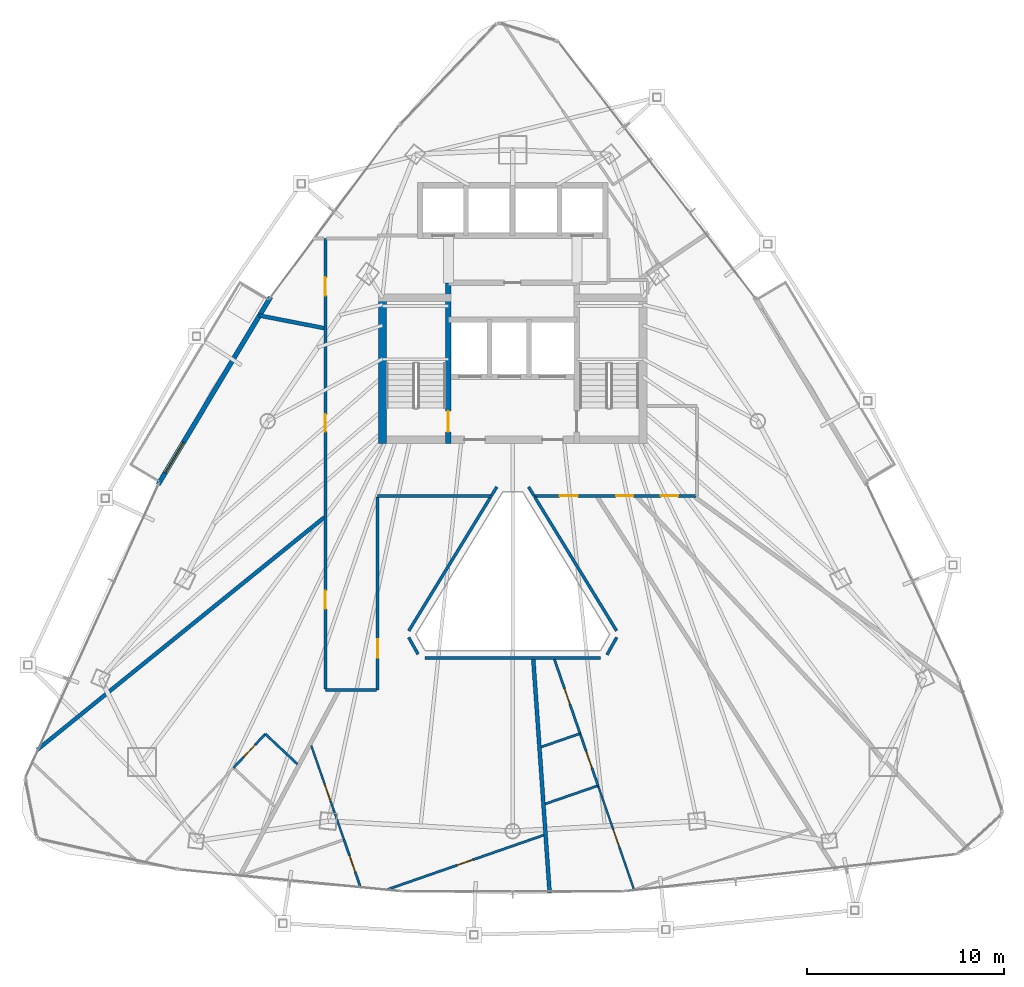
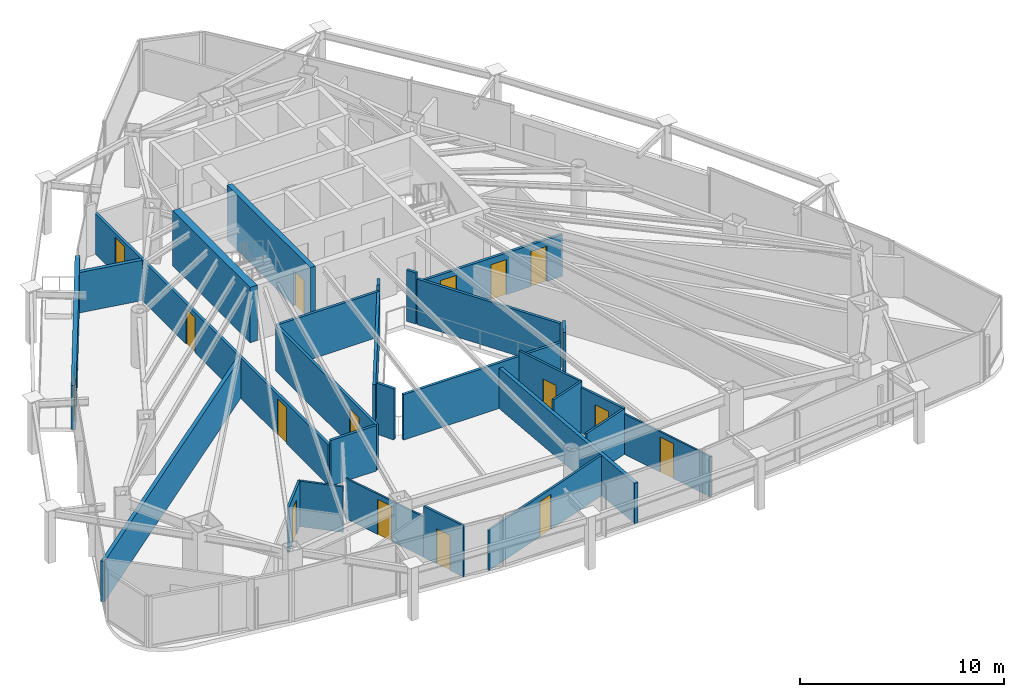
# One storey, part 24 of 29: 28 walls, 16 doors, 16 openings.
"""IFC4 building model written with IfcOpenShell, lengths in metres."""

from ifc_helpers import new_model, si_unit, direction, frame, frame_2d, origin, place, context, subcontext, project, spatial, rectangle, extrude, material, layer, layer_set, type_object, element, fill, save


model = new_model("IFC4")

# Units and contexts
model_context = context("Model", 3, precision=1e-05, world=origin(), true_north=direction((0.0, 1.0)))
body_context = subcontext(model_context, "Body", "Model", "MODEL_VIEW")
ifc_project = project(units=[si_unit("LENGTHUNIT", "METRE"), si_unit("AREAUNIT", "SQUARE_METRE"), si_unit("VOLUMEUNIT", "CUBIC_METRE"), si_unit("PLANEANGLEUNIT", "RADIAN"), si_unit("MASSUNIT", "GRAM", prefix="KILO")], contexts=[model_context])

# Site, building, storey
site_placement = place(None, origin())
site = spatial("IfcSite", under=ifc_project, at=site_placement, CompositionType="ELEMENT")
building_placement = place(site_placement, origin())
building = spatial("IfcBuilding", under=site, at=building_placement, Name="Orvanel Arch Residences", CompositionType="ELEMENT")
storey_placement = place(building_placement, frame((0.0, 0.0, 167.14990234375)))
storey = spatial("IfcBuildingStorey", under=building, at=storey_placement, Name="L47", CompositionType="ELEMENT", Elevation=167.14990234375)

# Wall, opening, door
ifc_material_1 = material(Name="Precast concrete N50 (50 MPa)", Category="concrete")
ifc_layer_1 = layer(ifc_material_1, 0.239990234375)
ifc_layer_set_1 = layer_set([ifc_layer_1], Name="Precast concrete N50 (50 MPa)")
wall_type_1 = type_object("IfcWallType", Name="EW-BAL-240", PredefinedType="SOLIDWALL", material=ifc_layer_set_1)
wall_1_placement = place(storey_placement, frame((20.721923828125, 33.93994140625, 0.0), z_axis=(0.0, 0.0, 1.0), x_axis=(-0.514334017412, -0.85758994778, 0.0)))
wall_1 = element("IfcWall", 1, at=wall_1_placement, inside=storey, type_object=wall_type_1, Name="L47 Balcony Threshold Wall Face 1", PredefinedType="SOLIDWALL", context=body_context, shape_type="SweptSolid", body=[
    extrude(rectangle(XDim=11.099853515625, YDim=0.239990234375, at=frame_2d((5.5498046875, 0.0))), origin(), (0.0, 0.0, 1.0), 2.6240234375),
])
opening_1_placement = place(wall_1_placement, frame((8.60205078125, 0.0, 0.0)))
opening_1 = element("IfcOpeningElement", 2, at=opening_1_placement, cuts=wall_1, Name="Opening DB-180", PredefinedType="OPENING", context=body_context, shape_type="SweptSolid", body=[
    extrude(rectangle(XDim=1.800048828125, YDim=2.199951171875, at=frame_2d((0.89990234375, 1.10009765625))), frame((0.0, 0.1298828125, 0.0), z_axis=(0.0, -1.0, 0.0), x_axis=(1.0, 0.0, 0.0)), (0.0, 0.0, 1.0), 0.260009765625),
])
ifc_material_2 = material(Name="Bronze-anodised aluminium AA6063-T6", Category="aluminium")
door_type_1 = type_object("IfcDoorType", Name="DR-BAL-1800", OperationType="NOTDEFINED", PredefinedType="DOOR", material=ifc_material_2)
door_1_placement = place(opening_1_placement, origin())
door_1 = element("IfcDoor", 3, at=door_1_placement, inside=storey, type_object=door_type_1, Name="DR-L47-BAL-F1 L47 Planted Balcony Access Door Face 1", OperationType="SINGLE_SWING_LEFT", OverallHeight=2.199951171875, OverallWidth=1.800048828125, PredefinedType="DOOR", context=body_context, shape_type="SweptSolid", body=[
    extrude(rectangle(XDim=1.800048828125, YDim=2.199951171875, at=frame_2d((0.89990234375, 1.10009765625))), frame((0.0, 0.02490234375, 0.0), z_axis=(0.0, -1.0, 0.0), x_axis=(1.0, 0.0, 0.0)), (0.0, 0.0, 1.0), 0.050048828125),
])
fill(opening_1, door_1)

ifc_material_3 = material(Name="Concrete S65 (65 MPa)", Category="concrete")
ifc_layer_2 = layer(ifc_material_3, 0.280029296875)
ifc_layer_set_2 = layer_set([ifc_layer_2], Name="Concrete S65 (65 MPa)")
wall_type_2 = type_object("IfcWallType", Name="SW-CORE-280", PredefinedType="SHEAR", material=ifc_layer_set_2)
wall_2_placement = place(storey_placement, frame((29.739990234375, 26.5, 0.0), z_axis=(0.0, 0.0, 1.0), x_axis=(0.0, 1.0, 0.0)))
wall_2 = element("IfcWall", 4, at=wall_2_placement, inside=storey, type_object=wall_type_2, Name="L47 West Inner Core Spine Shear Wall", PredefinedType="SHEAR", context=body_context, shape_type="SweptSolid", body=[
    extrude(rectangle(XDim=8.14990234375, YDim=0.280029296875, at=frame_2d((4.074951171875, 0.0))), origin(), (0.0, 0.0, 1.0), 3.300048828125),
])
opening_2_placement = place(wall_2_placement, frame((0.60009765625, 0.0, 0.0)))
opening_2 = element("IfcOpeningElement", 5, at=opening_2_placement, cuts=wall_2, Name="Opening DF-120", PredefinedType="OPENING", context=body_context, shape_type="SweptSolid", body=[
    extrude(rectangle(XDim=1.050048828125, YDim=2.14990234375, at=frame_2d((0.52490234375, 1.074951171875))), frame((0.0, 0.14990234375, 0.0), z_axis=(0.0, -1.0, 0.0), x_axis=(1.0, 0.0, 0.0)), (0.0, 0.0, 1.0), 0.300048828125),
])
ifc_material_4 = material(Name="Galvanised steel fire-resisting door assembly", Category="steel")
door_type_2 = type_object("IfcDoorType", Name="DR-FD120-1050", OperationType="NOTDEFINED", PredefinedType="DOOR", material=ifc_material_4)
door_2_placement = place(opening_2_placement, origin())
door_2 = element("IfcDoor", 6, at=door_2_placement, inside=storey, type_object=door_type_2, Name="DR-L47-ST1 L47 Stair 1 Fire Door", OperationType="SINGLE_SWING_LEFT", OverallHeight=2.14990234375, OverallWidth=1.050048828125, PredefinedType="DOOR", context=body_context, shape_type="SweptSolid", body=[
    extrude(rectangle(XDim=1.050048828125, YDim=2.14990234375, at=frame_2d((0.52490234375, 1.074951171875))), frame((0.0, 0.02490234375, 0.0), z_axis=(0.0, -1.0, 0.0), x_axis=(1.0, 0.0, 0.0)), (0.0, 0.0, 1.0), 0.050048828125),
])
fill(opening_2, door_2)

# Walls
ifc_layer_3 = layer(ifc_material_3, 0.39990234375)
ifc_layer_set_3 = layer_set([ifc_layer_3], Name="Concrete S65 (65 MPa)")
wall_type_3 = type_object("IfcWallType", Name="SW-CORE-400", PredefinedType="SHEAR", material=ifc_layer_set_3)
wall_3_placement = place(storey_placement, frame((26.39990234375, 26.5, 0.0), z_axis=(0.0, 0.0, 1.0), x_axis=(0.0, 1.0, 0.0)))
element("IfcWall", 7, at=wall_3_placement, inside=storey, type_object=wall_type_3, Name="L47 West Stair Shear Wall", PredefinedType="SHEAR", context=body_context, shape_type="SweptSolid", body=[
    extrude(rectangle(XDim=7.60009765625, YDim=0.39990234375, at=frame_2d((3.800048828125, 0.0))), origin(), (0.0, 0.0, 1.0), 3.300048828125),
])
ifc_material_5 = material(Name="Fire-rated plasterboard lined steel stud partition", Category="steel")
ifc_layer_4 = layer(ifc_material_5, 0.14990234375)
ifc_layer_set_4 = layer_set([ifc_layer_4], Name="Fire-rated plasterboard lined steel stud partition")
wall_type_4 = type_object("IfcWallType", Name="W-COR-150", PredefinedType="PARTITIONING", material=ifc_layer_set_4)
wall_4_placement = place(storey_placement, frame((32.197021484375, 24.305908203125, 0.0), z_axis=(0.0, 0.0, 1.0), x_axis=(-0.530039765459, -0.847972786728, 0.0)))
element("IfcWall", 8, at=wall_4_placement, inside=storey, type_object=wall_type_4, Name="L47 Corridor Fire-Rated Partition", PredefinedType="PARTITIONING", context=body_context, shape_type="SweptSolid", body=[
    extrude(rectangle(XDim=0.53759765625, YDim=0.14990234375, at=frame_2d((0.268798828125, 0.0))), origin(), (0.0, 0.0, 1.0), 3.06005859375),
])
wall_5_placement = place(storey_placement, frame((31.912109375, 23.85009765625, 0.0), z_axis=(0.0, 0.0, 1.0), x_axis=(-1.0, 0.0, 0.0)))
element("IfcWall", 9, at=wall_5_placement, inside=storey, type_object=wall_type_4, Name="L47 Corridor Fire-Rated Partition", PredefinedType="PARTITIONING", context=body_context, shape_type="SweptSolid", body=[
    extrude(rectangle(XDim=5.76220703125, YDim=0.14990234375, at=frame_2d((2.881103515625, 0.0))), origin(), (0.0, 0.0, 1.0), 2.72119140625),
])

# Wall, opening, door
wall_6_placement = place(storey_placement, frame((26.14990234375, 23.7900390625, 0.0), z_axis=(0.0, 0.0, 1.0), x_axis=(0.0, -1.0, 0.0)))
wall_6 = element("IfcWall", 10, at=wall_6_placement, inside=storey, type_object=wall_type_4, Name="L47 Corridor Fire-Rated Partition", PredefinedType="PARTITIONING", context=body_context, shape_type="SweptSolid", body=[
    extrude(rectangle(XDim=9.7900390625, YDim=0.14990234375, at=frame_2d((4.89501953125, 0.0))), origin(), (0.0, 0.0, 1.0), 2.72119140625),
])
opening_3_placement = place(wall_6_placement, frame((7.220947265625, 0.0, 0.0)))
opening_3 = element("IfcOpeningElement", 11, at=opening_3_placement, cuts=wall_6, Name="Opening DA-092", PredefinedType="OPENING", context=body_context, shape_type="SweptSolid", body=[
    extrude(rectangle(XDim=0.919921875, YDim=2.14990234375, at=frame_2d((0.4599609375, 1.074951171875))), frame((0.0, 0.0849609375, 0.0), z_axis=(0.0, -1.0, 0.0), x_axis=(1.0, 0.0, 0.0)), (0.0, 0.0, 1.0), 0.169921875),
])
ifc_material_6 = material(Name="Solid-core European oak veneer fire door leaf", Category="wood")
door_type_3 = type_object("IfcDoorType", Name="DR-APT-920", OperationType="NOTDEFINED", PredefinedType="DOOR", material=ifc_material_6)
door_3_placement = place(opening_3_placement, origin())
door_3 = element("IfcDoor", 12, at=door_3_placement, inside=storey, type_object=door_type_3, Name="DR-L47-B-ENT L47 Studio B Entrance Door", OperationType="SINGLE_SWING_LEFT", OverallHeight=2.14990234375, OverallWidth=0.919921875, PredefinedType="DOOR", context=body_context, shape_type="SweptSolid", body=[
    extrude(rectangle(XDim=0.919921875, YDim=2.14990234375, at=frame_2d((0.4599609375, 1.074951171875))), frame((0.0, 0.02490234375, 0.0), z_axis=(0.0, -1.0, 0.0), x_axis=(1.0, 0.0, 0.0)), (0.0, 0.0, 1.0), 0.050048828125),
])
fill(opening_3, door_3)

# Wall
wall_7_placement = place(storey_placement, frame((26.090087890625, 14.0, 0.0), z_axis=(0.0, 0.0, 1.0), x_axis=(-1.0, 0.0, 0.0)))
element("IfcWall", 13, at=wall_7_placement, inside=storey, type_object=wall_type_4, Name="L47 Corridor Fire-Rated Partition", PredefinedType="PARTITIONING", context=body_context, shape_type="SweptSolid", body=[
    extrude(rectangle(XDim=2.590087890625, YDim=0.14990234375, at=frame_2d((1.294921875, 0.0))), origin(), (0.0, 0.0, 1.0), 2.72119140625),
])

# Wall, openings, doors
wall_8_placement = place(storey_placement, frame((23.5, 14.06005859375, 0.0), z_axis=(0.0, 0.0, 1.0), x_axis=(0.0, 1.0, 0.0)))
wall_8 = element("IfcWall", 14, at=wall_8_placement, inside=storey, type_object=wall_type_4, Name="L47 Corridor Fire-Rated Partition", PredefinedType="PARTITIONING", context=body_context, shape_type="SweptSolid", body=[
    extrude(rectangle(XDim=22.83984375, YDim=0.14990234375, at=frame_2d((11.419921875, 0.0))), origin(), (0.0, 0.0, 1.0), 2.4130859375),
])
opening_4_placement = place(wall_8_placement, frame((4.06396484375, 0.0, 0.0)))
opening_4 = element("IfcOpeningElement", 15, at=opening_4_placement, cuts=wall_8, Name="Opening DA-092", PredefinedType="OPENING", context=body_context, shape_type="SweptSolid", body=[
    extrude(rectangle(XDim=0.919921875, YDim=2.14990234375, at=frame_2d((0.4599609375, 1.074951171875))), frame((0.0, 0.0849609375, 0.0), z_axis=(0.0, -1.0, 0.0), x_axis=(1.0, 0.0, 0.0)), (0.0, 0.0, 1.0), 0.169921875),
])
opening_5_placement = place(wall_8_placement, frame((13.047119140625, 0.0, 0.0)))
opening_5 = element("IfcOpeningElement", 16, at=opening_5_placement, cuts=wall_8, Name="Opening DI-088", PredefinedType="OPENING", context=body_context, shape_type="SweptSolid", body=[
    extrude(rectangle(XDim=0.8798828125, YDim=2.10009765625, at=frame_2d((0.43994140625, 1.050048828125))), frame((0.0, 0.0849609375, 0.0), z_axis=(0.0, -1.0, 0.0), x_axis=(1.0, 0.0, 0.0)), (0.0, 0.0, 1.0), 0.169921875),
])
opening_6_placement = place(wall_8_placement, frame((19.952880859375, 0.0, 0.0)))
opening_6 = element("IfcOpeningElement", 17, at=opening_6_placement, cuts=wall_8, Name="Opening DA-092", PredefinedType="OPENING", context=body_context, shape_type="SweptSolid", body=[
    extrude(rectangle(XDim=0.919921875, YDim=2.14990234375, at=frame_2d((0.4599609375, 1.074951171875))), frame((0.0, 0.0849609375, 0.0), z_axis=(0.0, -1.0, 0.0), x_axis=(1.0, 0.0, 0.0)), (0.0, 0.0, 1.0), 0.169921875),
])
door_4_placement = place(opening_4_placement, origin())
door_4 = element("IfcDoor", 18, at=door_4_placement, inside=storey, type_object=door_type_3, Name="DR-L47-C-ENT L47 Flat C Entrance Door", OperationType="SINGLE_SWING_RIGHT", OverallHeight=2.14990234375, OverallWidth=0.919921875, PredefinedType="DOOR", context=body_context, shape_type="SweptSolid", body=[
    extrude(rectangle(XDim=0.919921875, YDim=2.14990234375, at=frame_2d((0.4599609375, 1.074951171875))), frame((0.0, 0.02490234375, 0.0), z_axis=(0.0, -1.0, 0.0), x_axis=(1.0, 0.0, 0.0)), (0.0, 0.0, 1.0), 0.050048828125),
])
fill(opening_4, door_4)
door_5_placement = place(opening_6_placement, origin())
door_5 = element("IfcDoor", 19, at=door_5_placement, inside=storey, type_object=door_type_3, Name="DR-L47-F-ENT L47 Studio F Entrance Door", OperationType="SINGLE_SWING_LEFT", OverallHeight=2.14990234375, OverallWidth=0.919921875, PredefinedType="DOOR", context=body_context, shape_type="SweptSolid", body=[
    extrude(rectangle(XDim=0.919921875, YDim=2.14990234375, at=frame_2d((0.4599609375, 1.074951171875))), frame((0.0, 0.02490234375, 0.0), z_axis=(0.0, -1.0, 0.0), x_axis=(1.0, 0.0, 0.0)), (0.0, 0.0, 1.0), 0.050048828125),
])
fill(opening_6, door_5)
door_type_4 = type_object("IfcDoorType", Name="DR-INT-880", OperationType="NOTDEFINED", PredefinedType="DOOR", material=ifc_material_6)
door_6_placement = place(opening_5_placement, origin())
door_6 = element("IfcDoor", 20, at=door_6_placement, inside=storey, type_object=door_type_4, Name="DR-L47-SHRD-FB5 L47 Co-Working Study Office E Door", OperationType="SINGLE_SWING_LEFT", OverallHeight=2.10009765625, OverallWidth=0.8798828125, PredefinedType="DOOR", context=body_context, shape_type="SweptSolid", body=[
    extrude(rectangle(XDim=0.8798828125, YDim=2.10009765625, at=frame_2d((0.43994140625, 1.050048828125))), frame((0.0, 0.02490234375, 0.0), z_axis=(0.0, -1.0, 0.0), x_axis=(1.0, 0.0, 0.0)), (0.0, 0.0, 1.0), 0.050048828125),
])
fill(opening_5, door_6)

wall_9_placement = place(storey_placement, frame((42.2900390625, 23.85009765625, 0.0), z_axis=(0.0, 0.0, 1.0), x_axis=(-1.0, 0.0, 0.0)))
wall_9 = element("IfcWall", 21, at=wall_9_placement, inside=storey, type_object=wall_type_4, Name="L47 Corridor Fire-Rated Partition", PredefinedType="PARTITIONING", context=body_context, shape_type="SweptSolid", body=[
    extrude(rectangle(XDim=8.2021484375, YDim=0.14990234375, at=frame_2d((4.10107421875, 0.0))), origin(), (0.0, 0.0, 1.0), 2.4921875),
])
opening_7_placement = place(wall_9_placement, frame((5.987060546875, 0.0, 0.0)))
opening_7 = element("IfcOpeningElement", 22, at=opening_7_placement, cuts=wall_9, Name="Opening DA-092", PredefinedType="OPENING", context=body_context, shape_type="SweptSolid", body=[
    extrude(rectangle(XDim=0.919921875, YDim=2.14990234375, at=frame_2d((0.4599609375, 1.074951171875))), frame((0.0, 0.0849609375, 0.0), z_axis=(0.0, -1.0, 0.0), x_axis=(1.0, 0.0, 0.0)), (0.0, 0.0, 1.0), 0.169921875),
])
opening_8_placement = place(wall_9_placement, frame((0.89404296875, 0.0, 0.0)))
opening_8 = element("IfcOpeningElement", 23, at=opening_8_placement, cuts=wall_9, Name="Opening DI-088", PredefinedType="OPENING", context=body_context, shape_type="SweptSolid", body=[
    extrude(rectangle(XDim=0.8798828125, YDim=2.10009765625, at=frame_2d((0.43994140625, 1.050048828125))), frame((0.0, 0.0849609375, 0.0), z_axis=(0.0, -1.0, 0.0), x_axis=(1.0, 0.0, 0.0)), (0.0, 0.0, 1.0), 0.169921875),
])
opening_9_placement = place(wall_9_placement, frame((3.1689453125, 0.0, 0.0)))
opening_9 = element("IfcOpeningElement", 24, at=opening_9_placement, cuts=wall_9, Name="Opening DI-088", PredefinedType="OPENING", context=body_context, shape_type="SweptSolid", body=[
    extrude(rectangle(XDim=0.8798828125, YDim=2.10009765625, at=frame_2d((0.43994140625, 1.050048828125))), frame((0.0, 0.0849609375, 0.0), z_axis=(0.0, -1.0, 0.0), x_axis=(1.0, 0.0, 0.0)), (0.0, 0.0, 1.0), 0.169921875),
])
door_7_placement = place(opening_7_placement, origin())
door_7 = element("IfcDoor", 25, at=door_7_placement, inside=storey, type_object=door_type_3, Name="DR-L47-A-ENT L47 Flat A Entrance Door", OperationType="SINGLE_SWING_RIGHT", OverallHeight=2.14990234375, OverallWidth=0.919921875, PredefinedType="DOOR", context=body_context, shape_type="SweptSolid", body=[
    extrude(rectangle(XDim=0.919921875, YDim=2.14990234375, at=frame_2d((0.4599609375, 1.074951171875))), frame((0.0, 0.02490234375, 0.0), z_axis=(0.0, -1.0, 0.0), x_axis=(1.0, 0.0, 0.0)), (0.0, 0.0, 1.0), 0.050048828125),
])
fill(opening_7, door_7)
door_8_placement = place(opening_8_placement, origin())
door_8 = element("IfcDoor", 26, at=door_8_placement, inside=storey, type_object=door_type_4, Name="DR-L47-SHRD-FB7 L47 Co-Working Study Office G Door", OperationType="SINGLE_SWING_LEFT", OverallHeight=2.10009765625, OverallWidth=0.8798828125, PredefinedType="DOOR", context=body_context, shape_type="SweptSolid", body=[
    extrude(rectangle(XDim=0.8798828125, YDim=2.10009765625, at=frame_2d((0.43994140625, 1.050048828125))), frame((0.0, 0.02490234375, 0.0), z_axis=(0.0, -1.0, 0.0), x_axis=(1.0, 0.0, 0.0)), (0.0, 0.0, 1.0), 0.050048828125),
])
fill(opening_8, door_8)
door_9_placement = place(opening_9_placement, origin())
door_9 = element("IfcDoor", 27, at=door_9_placement, inside=storey, type_object=door_type_4, Name="DR-L47-SHRD-FB8 L47 Co-Working Study Office H Door", OperationType="SINGLE_SWING_LEFT", OverallHeight=2.10009765625, OverallWidth=0.8798828125, PredefinedType="DOOR", context=body_context, shape_type="SweptSolid", body=[
    extrude(rectangle(XDim=0.8798828125, YDim=2.10009765625, at=frame_2d((0.43994140625, 1.050048828125))), frame((0.0, 0.02490234375, 0.0), z_axis=(0.0, -1.0, 0.0), x_axis=(1.0, 0.0, 0.0)), (0.0, 0.0, 1.0), 0.050048828125),
])
fill(opening_9, door_9)

# Walls
wall_10_placement = place(storey_placement, frame((34.087890625, 23.85009765625, 0.0), z_axis=(0.0, 0.0, 1.0), x_axis=(-0.530039765459, 0.847972786728, 0.0)))
element("IfcWall", 28, at=wall_10_placement, inside=storey, type_object=wall_type_4, Name="L47 Corridor Fire-Rated Partition", PredefinedType="PARTITIONING", context=body_context, shape_type="SweptSolid", body=[
    extrude(rectangle(XDim=0.53759765625, YDim=0.14990234375, at=frame_2d((0.268798828125, 0.0))), origin(), (0.0, 0.0, 1.0), 3.06005859375),
])
wall_11_placement = place(storey_placement, frame((34.118896484375, 23.7900390625, 0.0), z_axis=(0.0, 0.0, 1.0), x_axis=(0.521942869651, -0.852980445744, 0.0)))
element("IfcWall", 29, at=wall_11_placement, inside=storey, type_object=wall_type_4, Name="L47 Atrium Overlook Glazed Partition", PredefinedType="PARTITIONING", context=body_context, shape_type="SweptSolid", body=[
    extrude(rectangle(XDim=7.953125, YDim=0.14990234375, at=frame_2d((3.9765625, 0.0))), origin(), (0.0, 0.0, 1.0), 2.72119140625),
])
wall_12_placement = place(storey_placement, frame((38.27587890625, 16.669921875, 0.0), z_axis=(0.0, 0.0, 1.0), x_axis=(-0.489067077696, -0.872246177127, 0.0)))
element("IfcWall", 30, at=wall_12_placement, inside=storey, type_object=wall_type_4, Name="L47 Atrium Overlook Glazed Partition", PredefinedType="PARTITIONING", context=body_context, shape_type="SweptSolid", body=[
    extrude(rectangle(XDim=1.009765625, YDim=0.14990234375, at=frame_2d((0.5048828125, 0.0))), origin(), (0.0, 0.0, 1.0), 3.06005859375),
])
wall_13_placement = place(storey_placement, frame((37.452880859375, 15.616943359375, 0.0), z_axis=(0.0, 0.0, 1.0), x_axis=(-1.0, 0.0, 0.0)))
element("IfcWall", 31, at=wall_13_placement, inside=storey, type_object=wall_type_4, Name="L47 Atrium Overlook Glazed Partition", PredefinedType="PARTITIONING", context=body_context, shape_type="SweptSolid", body=[
    extrude(rectangle(XDim=8.90576171875, YDim=0.14990234375, at=frame_2d((4.452880859375, 0.0))), origin(), (0.0, 0.0, 1.0), 2.72119140625),
])
wall_14_placement = place(storey_placement, frame((28.197998046875, 15.821044921875, 0.0), z_axis=(0.0, 0.0, 1.0), x_axis=(-0.487432951818, 0.873160419099, 0.0)))
element("IfcWall", 32, at=wall_14_placement, inside=storey, type_object=wall_type_4, Name="L47 Atrium Overlook Glazed Partition", PredefinedType="PARTITIONING", context=body_context, shape_type="SweptSolid", body=[
    extrude(rectangle(XDim=0.97216796875, YDim=0.14990234375, at=frame_2d((0.486083984375, 0.0))), origin(), (0.0, 0.0, 1.0), 3.06005859375),
])
wall_15_placement = place(storey_placement, frame((27.72998046875, 17.006103515625, 0.0), z_axis=(0.0, 0.0, 1.0), x_axis=(0.521942869651, 0.852980445744, 0.0)))
element("IfcWall", 33, at=wall_15_placement, inside=storey, type_object=wall_type_4, Name="L47 Atrium Overlook Glazed Partition", PredefinedType="PARTITIONING", context=body_context, shape_type="SweptSolid", body=[
    extrude(rectangle(XDim=7.953125, YDim=0.14990234375, at=frame_2d((3.9765625, 0.0))), origin(), (0.0, 0.0, 1.0), 2.72119140625),
])
ifc_layer_5 = layer(ifc_material_5, 0.199951171875)
ifc_layer_set_5 = layer_set([ifc_layer_5], Name="Fire-rated plasterboard lined steel stud partition")
wall_type_5 = type_object("IfcWallType", Name="W-DEM-200", PredefinedType="PARTITIONING", material=ifc_layer_set_5)
wall_16_placement = place(storey_placement, frame((34.8740234375, 3.7041015625, 0.0), z_axis=(0.0, 0.0, 1.0), x_axis=(-0.069779440561, 0.997562443998, 0.0)))
element("IfcWall", 34, at=wall_16_placement, inside=storey, type_object=wall_type_5, Name="L47 Inter-Tenancy Acoustic Demising Wall", PredefinedType="PARTITIONING", context=body_context, shape_type="SweptSolid", body=[
    extrude(rectangle(XDim=11.8818359375, YDim=0.199951171875, at=frame_2d((5.94091796875, 0.0))), origin(), (0.0, 0.0, 1.0), 2.4130859375),
])
wall_17_placement = place(storey_placement, frame((8.886962890625, 10.972900390625, 0.0), z_axis=(0.0, 0.0, 1.0), x_axis=(0.777135864284, 0.629332859815, 0.0)))
element("IfcWall", 35, at=wall_17_placement, inside=storey, type_object=wall_type_5, Name="L47 Inter-Tenancy Acoustic Demising Wall", PredefinedType="PARTITIONING", context=body_context, shape_type="SweptSolid", body=[
    extrude(rectangle(XDim=18.726318359375, YDim=0.199951171875, at=frame_2d((9.36328125, 0.0))), origin(), (0.0, 0.0, 1.0), 2.4130859375),
])
wall_18_placement = place(storey_placement, frame((20.14111328125, 33.0, 0.0), z_axis=(0.0, 0.0, 1.0), x_axis=(0.981579076432, -0.191056318163, 0.0)))
element("IfcWall", 36, at=wall_18_placement, inside=storey, type_object=wall_type_5, Name="L47 Inter-Tenancy Acoustic Demising Wall", PredefinedType="PARTITIONING", context=body_context, shape_type="SweptSolid", body=[
    extrude(rectangle(XDim=3.36083984375, YDim=0.199951171875, at=frame_2d((1.680419921875, 0.0))), origin(), (0.0, 0.0, 1.0), 2.4130859375),
])

# Wall, opening, door
ifc_material_7 = material(Name="Acoustic plasterboard lined twin-stud partition", Category="gypsum")
ifc_layer_6 = layer(ifc_material_7, 0.10009765625)
ifc_layer_set_6 = layer_set([ifc_layer_6], Name="Acoustic plasterboard lined twin-stud partition")
wall_type_6 = type_object("IfcWallType", Name="W-INT-100", PredefinedType="PARTITIONING", material=ifc_layer_set_6)
wall_19_placement = place(storey_placement, frame((39.1640625, 3.847900390625, 0.0), z_axis=(0.0, 0.0, 1.0), x_axis=(-0.326778856457, 0.945100830056, 0.0)))
wall_19 = element("IfcWall", 37, at=wall_19_placement, inside=storey, type_object=wall_type_6, Name="L47 Flat A Internal Partition", PredefinedType="PARTITIONING", context=body_context, shape_type="SweptSolid", body=[
    extrude(rectangle(XDim=5.6123046875, YDim=0.10009765625, at=frame_2d((2.80615234375, 0.0))), origin(), (0.0, 0.0, 1.0), 2.4130859375),
])
opening_10_placement = place(wall_19_placement, frame((2.365966796875, 0.0, 0.0)))
opening_10 = element("IfcOpeningElement", 38, at=opening_10_placement, cuts=wall_19, Name="Opening DI-088", PredefinedType="OPENING", context=body_context, shape_type="SweptSolid", body=[
    extrude(rectangle(XDim=0.8798828125, YDim=2.10009765625, at=frame_2d((0.43994140625, 1.050048828125))), frame((0.0, 0.06005859375, 0.0), z_axis=(0.0, -1.0, 0.0), x_axis=(1.0, 0.0, 0.0)), (0.0, 0.0, 1.0), 0.1201171875),
])
door_10_placement = place(opening_10_placement, origin())
door_10 = element("IfcDoor", 39, at=door_10_placement, inside=storey, type_object=door_type_4, Name="DR-L47-A-BED1 L47 Flat A Bedroom 1 Door", OperationType="SINGLE_SWING_LEFT", OverallHeight=2.10009765625, OverallWidth=0.8798828125, PredefinedType="DOOR", context=body_context, shape_type="SweptSolid", body=[
    extrude(rectangle(XDim=0.8798828125, YDim=2.10009765625, at=frame_2d((0.43994140625, 1.050048828125))), frame((0.0, 0.02490234375, 0.0), z_axis=(0.0, -1.0, 0.0), x_axis=(1.0, 0.0, 0.0)), (0.0, 0.0, 1.0), 0.050048828125),
])
fill(opening_10, door_10)

wall_20_placement = place(storey_placement, frame((24.44189453125, 6.410888671875, 0.0), z_axis=(0.0, 0.0, 1.0), x_axis=(-0.328597479572, 0.944470061155, 0.0)))
wall_20 = element("IfcWall", 40, at=wall_20_placement, inside=storey, type_object=wall_type_6, Name="L47 Studio B Internal Partition", PredefinedType="PARTITIONING", context=body_context, shape_type="SweptSolid", body=[
    extrude(rectangle(XDim=5.051513671875, YDim=0.10009765625, at=frame_2d((2.52587890625, 0.0))), origin(), (0.0, 0.0, 1.0), 2.4130859375),
])
opening_11_placement = place(wall_20_placement, frame((2.0859375, 0.0, 0.0)))
opening_11 = element("IfcOpeningElement", 41, at=opening_11_placement, cuts=wall_20, Name="Opening DI-088", PredefinedType="OPENING", context=body_context, shape_type="SweptSolid", body=[
    extrude(rectangle(XDim=0.8798828125, YDim=2.10009765625, at=frame_2d((0.43994140625, 1.050048828125))), frame((0.0, 0.06005859375, 0.0), z_axis=(0.0, -1.0, 0.0), x_axis=(1.0, 0.0, 0.0)), (0.0, 0.0, 1.0), 0.1201171875),
])
door_11_placement = place(opening_11_placement, origin())
door_11 = element("IfcDoor", 42, at=door_11_placement, inside=storey, type_object=door_type_4, Name="DR-L47-B-CAR1 L47 Studio B Allied Health Consulting Room 2 Door", OperationType="SINGLE_SWING_LEFT", OverallHeight=2.10009765625, OverallWidth=0.8798828125, PredefinedType="DOOR", context=body_context, shape_type="SweptSolid", body=[
    extrude(rectangle(XDim=0.8798828125, YDim=2.10009765625, at=frame_2d((0.43994140625, 1.050048828125))), frame((0.0, 0.02490234375, 0.0), z_axis=(0.0, -1.0, 0.0), x_axis=(1.0, 0.0, 0.0)), (0.0, 0.0, 1.0), 0.050048828125),
])
fill(opening_11, door_11)

ifc_layer_7 = layer(ifc_material_7, 0.1201171875)
ifc_layer_set_7 = layer_set([ifc_layer_7], Name="Acoustic plasterboard lined twin-stud partition")
wall_type_7 = type_object("IfcWallType", Name="W-WET-120", PredefinedType="PARTITIONING", material=ifc_layer_set_7)
wall_21_placement = place(storey_placement, frame((36.4169921875, 11.7939453125, 0.0), z_axis=(0.0, 0.0, 1.0), x_axis=(-0.326767254884, 0.945104841346, 0.0)))
wall_21 = element("IfcWall", 43, at=wall_21_placement, inside=storey, type_object=wall_type_7, Name="L47 Flat A Bathroom Partition", PredefinedType="PARTITIONING", context=body_context, shape_type="SweptSolid", body=[
    extrude(rectangle(XDim=3.9814453125, YDim=0.1201171875, at=frame_2d((1.99072265625, 0.0))), origin(), (0.0, 0.0, 1.0), 3.06005859375),
])
opening_12_placement = place(wall_21_placement, frame((1.5810546875, 0.0, 0.0)))
opening_12 = element("IfcOpeningElement", 44, at=opening_12_placement, cuts=wall_21, Name="Opening DW-082", PredefinedType="OPENING", context=body_context, shape_type="SweptSolid", body=[
    extrude(rectangle(XDim=0.820068359375, YDim=2.10009765625, at=frame_2d((0.41015625, 1.050048828125))), frame((0.0, 0.070068359375, 0.0), z_axis=(0.0, -1.0, 0.0), x_axis=(1.0, 0.0, 0.0)), (0.0, 0.0, 1.0), 0.14013671875),
])
door_type_5 = type_object("IfcDoorType", Name="DR-WET-820", OperationType="NOTDEFINED", PredefinedType="DOOR", material=ifc_material_6)
door_12_placement = place(opening_12_placement, origin())
door_12 = element("IfcDoor", 45, at=door_12_placement, inside=storey, type_object=door_type_5, Name="DR-L47-A-BATH L47 Flat A Bathroom Door", OperationType="SINGLE_SWING_RIGHT", OverallHeight=2.10009765625, OverallWidth=0.820068359375, PredefinedType="DOOR", context=body_context, shape_type="SweptSolid", body=[
    extrude(rectangle(XDim=0.820068359375, YDim=2.10009765625, at=frame_2d((0.41015625, 1.050048828125))), frame((0.0, 0.02490234375, 0.0), z_axis=(0.0, -1.0, 0.0), x_axis=(1.0, 0.0, 0.0)), (0.0, 0.0, 1.0), 0.050048828125),
])
fill(opening_12, door_12)

wall_22_placement = place(storey_placement, frame((37.330078125, 9.152099609375, 0.0), z_axis=(0.0, 0.0, 1.0), x_axis=(-0.326663542442, 0.945140693251, 0.0)))
wall_22 = element("IfcWall", 46, at=wall_22_placement, inside=storey, type_object=wall_type_7, Name="L47 Flat A Internal Partition", PredefinedType="PARTITIONING", context=body_context, shape_type="SweptSolid", body=[
    extrude(rectangle(XDim=2.795166015625, YDim=0.1201171875, at=frame_2d((1.3974609375, 0.0))), origin(), (0.0, 0.0, 1.0), 2.72119140625),
])
opening_13_placement = place(wall_22_placement, frame((0.9580078125, 0.0, 0.0)))
opening_13 = element("IfcOpeningElement", 47, at=opening_13_placement, cuts=wall_22, Name="Opening DI-088", PredefinedType="OPENING", context=body_context, shape_type="SweptSolid", body=[
    extrude(rectangle(XDim=0.8798828125, YDim=2.10009765625, at=frame_2d((0.43994140625, 1.050048828125))), frame((0.0, 0.070068359375, 0.0), z_axis=(0.0, -1.0, 0.0), x_axis=(1.0, 0.0, 0.0)), (0.0, 0.0, 1.0), 0.14013671875),
])
door_13_placement = place(opening_13_placement, origin())
door_13 = element("IfcDoor", 48, at=door_13_placement, inside=storey, type_object=door_type_4, Name="DR-L47-A-KIT L47 Flat A Kitchen Door", OperationType="SINGLE_SWING_LEFT", OverallHeight=2.10009765625, OverallWidth=0.8798828125, PredefinedType="DOOR", context=body_context, shape_type="SweptSolid", body=[
    extrude(rectangle(XDim=0.8798828125, YDim=2.10009765625, at=frame_2d((0.43994140625, 1.050048828125))), frame((0.0, 0.02490234375, 0.0), z_axis=(0.0, -1.0, 0.0), x_axis=(1.0, 0.0, 0.0)), (0.0, 0.0, 1.0), 0.050048828125),
])
fill(opening_13, door_13)

# Walls
wall_23_placement = place(storey_placement, frame((36.4169921875, 11.7939453125, 0.0), z_axis=(0.0, 0.0, 1.0), x_axis=(-0.945158093584, -0.326613193446, 0.0)))
element("IfcWall", 49, at=wall_23_placement, inside=storey, type_object=wall_type_7, Name="L47 Flat A Bathroom Partition", PredefinedType="PARTITIONING", context=body_context, shape_type="SweptSolid", body=[
    extrude(rectangle(XDim=2.0908203125, YDim=0.1201171875, at=frame_2d((1.04541015625, 0.0))), origin(), (0.0, 0.0, 1.0), 3.06005859375),
])
wall_24_placement = place(storey_placement, frame((37.330078125, 9.152099609375, 0.0), z_axis=(0.0, 0.0, 1.0), x_axis=(-0.945086078656, -0.326821516933, 0.0)))
element("IfcWall", 50, at=wall_24_placement, inside=storey, type_object=wall_type_7, Name="L47 Flat A Internal Partition", PredefinedType="PARTITIONING", context=body_context, shape_type="SweptSolid", body=[
    extrude(rectangle(XDim=2.84326171875, YDim=0.1201171875, at=frame_2d((1.421630859375, 0.0))), origin(), (0.0, 0.0, 1.0), 2.72119140625),
])

# Wall, opening, door
wall_25_placement = place(storey_placement, frame((34.5830078125, 6.64599609375, 0.0), z_axis=(0.0, 0.0, 1.0), x_axis=(-0.944539899325, -0.328396678704, 0.0)))
wall_25 = element("IfcWall", 51, at=wall_25_placement, inside=storey, type_object=wall_type_7, Name="L47 Studio B Bathroom Partition", PredefinedType="PARTITIONING", context=body_context, shape_type="SweptSolid", body=[
    extrude(rectangle(XDim=8.480224609375, YDim=0.1201171875, at=frame_2d((4.240234375, 0.0))), origin(), (0.0, 0.0, 1.0), 2.4130859375),
])
opening_14_placement = place(wall_25_placement, frame((3.830078125, 0.0, 0.0)))
opening_14 = element("IfcOpeningElement", 52, at=opening_14_placement, cuts=wall_25, Name="Opening DW-082", PredefinedType="OPENING", context=body_context, shape_type="SweptSolid", body=[
    extrude(rectangle(XDim=0.820068359375, YDim=2.10009765625, at=frame_2d((0.41015625, 1.050048828125))), frame((0.0, 0.070068359375, 0.0), z_axis=(0.0, -1.0, 0.0), x_axis=(1.0, 0.0, 0.0)), (0.0, 0.0, 1.0), 0.14013671875),
])
door_14_placement = place(opening_14_placement, origin())
door_14 = element("IfcDoor", 53, at=door_14_placement, inside=storey, type_object=door_type_5, Name="DR-L47-B-BATH L47 Studio B Bathroom Door", OperationType="SINGLE_SWING_RIGHT", OverallHeight=2.10009765625, OverallWidth=0.820068359375, PredefinedType="DOOR", context=body_context, shape_type="SweptSolid", body=[
    extrude(rectangle(XDim=0.820068359375, YDim=2.10009765625, at=frame_2d((0.41015625, 1.050048828125))), frame((0.0, 0.02490234375, 0.0), z_axis=(0.0, -1.0, 0.0), x_axis=(1.0, 0.0, 0.0)), (0.0, 0.0, 1.0), 0.050048828125),
])
fill(opening_14, door_14)

wall_26_placement = place(storey_placement, frame((25.291015625, 3.968994140625, 0.0), z_axis=(0.0, 0.0, 1.0), x_axis=(-0.328440044658, 0.944524820778, 0.0)))
wall_26 = element("IfcWall", 54, at=wall_26_placement, inside=storey, type_object=wall_type_7, Name="L47 Studio B Internal Partition", PredefinedType="PARTITIONING", context=body_context, shape_type="SweptSolid", body=[
    extrude(rectangle(XDim=2.585205078125, YDim=0.1201171875, at=frame_2d((1.29248046875, 0.0))), origin(), (0.0, 0.0, 1.0), 3.06005859375),
])
opening_15_placement = place(wall_26_placement, frame((0.85302734375, 0.0, 0.0)))
opening_15 = element("IfcOpeningElement", 55, at=opening_15_placement, cuts=wall_26, Name="Opening DI-088", PredefinedType="OPENING", context=body_context, shape_type="SweptSolid", body=[
    extrude(rectangle(XDim=0.8798828125, YDim=2.10009765625, at=frame_2d((0.43994140625, 1.050048828125))), frame((0.0, 0.070068359375, 0.0), z_axis=(0.0, -1.0, 0.0), x_axis=(1.0, 0.0, 0.0)), (0.0, 0.0, 1.0), 0.14013671875),
])
door_15_placement = place(opening_15_placement, origin())
door_15 = element("IfcDoor", 56, at=door_15_placement, inside=storey, type_object=door_type_4, Name="DR-L47-B-KIT L47 Studio B Kitchenette Door", OperationType="SINGLE_SWING_LEFT", OverallHeight=2.10009765625, OverallWidth=0.8798828125, PredefinedType="DOOR", context=body_context, shape_type="SweptSolid", body=[
    extrude(rectangle(XDim=0.8798828125, YDim=2.10009765625, at=frame_2d((0.43994140625, 1.050048828125))), frame((0.0, 0.02490234375, 0.0), z_axis=(0.0, -1.0, 0.0), x_axis=(1.0, 0.0, 0.0)), (0.0, 0.0, 1.0), 0.050048828125),
])
fill(opening_15, door_15)

# Wall
wall_27_placement = place(storey_placement, frame((22.0849609375, 10.238037109375, 0.0), z_axis=(0.0, 0.0, 1.0), x_axis=(-0.728663547615, 0.684871837921, 0.0)))
element("IfcWall", 57, at=wall_27_placement, inside=storey, type_object=wall_type_7, Name="L47 Flat C Bathroom Partition", PredefinedType="PARTITIONING", context=body_context, shape_type="SweptSolid", body=[
    extrude(rectangle(XDim=2.2412109375, YDim=0.1201171875, at=frame_2d((1.12060546875, 0.0))), origin(), (0.0, 0.0, 1.0), 2.72119140625),
])

# Wall, opening, door
wall_28_placement = place(storey_placement, frame((20.451904296875, 11.77294921875, 0.0), z_axis=(0.0, 0.0, 1.0), x_axis=(-0.684631978878, -0.728888917118, 0.0)))
wall_28 = element("IfcWall", 58, at=wall_28_placement, inside=storey, type_object=wall_type_7, Name="L47 Flat C Bathroom Partition", PredefinedType="PARTITIONING", context=body_context, shape_type="SweptSolid", body=[
    extrude(rectangle(XDim=2.35009765625, YDim=0.1201171875, at=frame_2d((1.175048828125, 0.0))), origin(), (0.0, 0.0, 1.0), 2.72119140625),
])
opening_16_placement = place(wall_28_placement, frame((0.764892578125, 0.0, 0.0)))
opening_16 = element("IfcOpeningElement", 59, at=opening_16_placement, cuts=wall_28, Name="Opening DW-082", PredefinedType="OPENING", context=body_context, shape_type="SweptSolid", body=[
    extrude(rectangle(XDim=0.820068359375, YDim=2.10009765625, at=frame_2d((0.41015625, 1.050048828125))), frame((0.0, 0.070068359375, 0.0), z_axis=(0.0, -1.0, 0.0), x_axis=(1.0, 0.0, 0.0)), (0.0, 0.0, 1.0), 0.14013671875),
])
door_16_placement = place(opening_16_placement, origin())
door_16 = element("IfcDoor", 60, at=door_16_placement, inside=storey, type_object=door_type_5, Name="DR-L47-C-BATH L47 Flat C Bathroom Door", OperationType="SINGLE_SWING_RIGHT", OverallHeight=2.10009765625, OverallWidth=0.820068359375, PredefinedType="DOOR", context=body_context, shape_type="SweptSolid", body=[
    extrude(rectangle(XDim=0.820068359375, YDim=2.10009765625, at=frame_2d((0.41015625, 1.050048828125))), frame((0.0, 0.02490234375, 0.0), z_axis=(0.0, -1.0, 0.0), x_axis=(1.0, 0.0, 0.0)), (0.0, 0.0, 1.0), 0.050048828125),
])
fill(opening_16, door_16)

save(model, "model.ifc")
